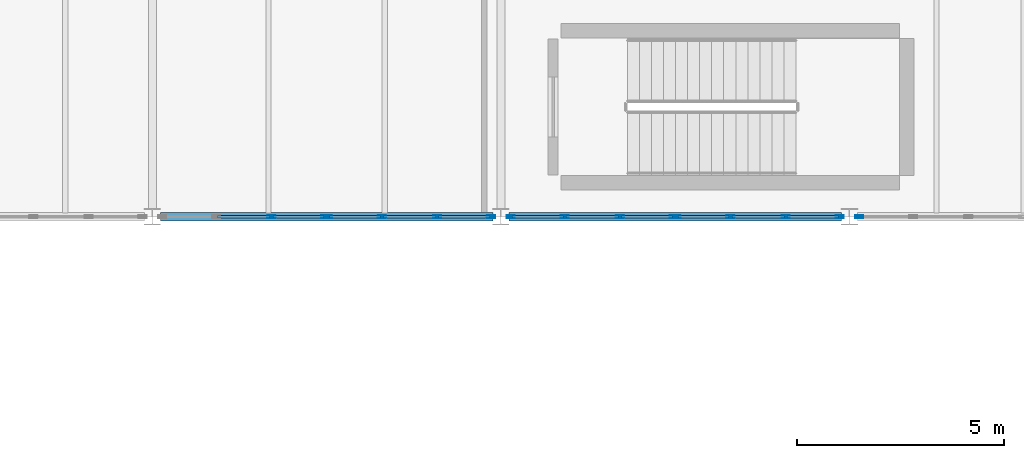
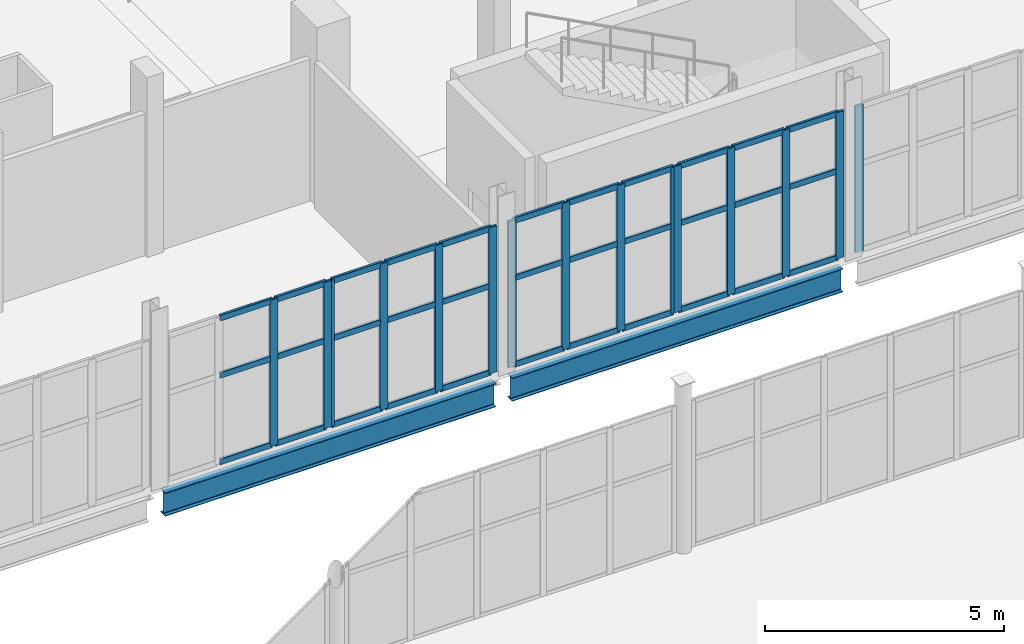
# One storey, part 78 of 172: 48 members, 2 beams, 5 elements without a shape of their own.
"""IFC4 building model written with IfcOpenShell, lengths in metres."""

from ifc_helpers import new_model, si_unit, direction, frame, origin, origin_2d, place, context, subcontext, project, spatial, hollow_rectangle, i_section, extrude, material, material_profile, profile_set, type_object, element, aggregate, save


model = new_model("IFC4")

# Units and contexts
model_context = context("Model", 3, precision=1e-05, world=origin(), true_north=direction((0.0, 1.0)))
body_context = subcontext(model_context, "Body", "Model", "MODEL_VIEW")
ifc_project = project(units=[si_unit("LENGTHUNIT", "METRE"), si_unit("AREAUNIT", "SQUARE_METRE"), si_unit("VOLUMEUNIT", "CUBIC_METRE"), si_unit("PLANEANGLEUNIT", "RADIAN"), si_unit("MASSUNIT", "GRAM", prefix="KILO")], contexts=[model_context])

# Site, building, storey
site_placement = place(None, origin())
site = spatial("IfcSite", under=ifc_project, at=site_placement, CompositionType="ELEMENT")
building_placement = place(site_placement, origin())
building = spatial("IfcBuilding", under=site, at=building_placement, Name="Shengluoqiao Park Theatre", CompositionType="ELEMENT")
storey_placement = place(building_placement, frame((0.0, 0.0, 5.39990234375)))
storey = spatial("IfcBuildingStorey", under=building, at=storey_placement, Name="L01", CompositionType="ELEMENT", Elevation=5.39990234375)

# Curtain wall, members
ifc_material_1 = material(Name="Aluminium 6063-T6", Category="aluminium")
curtain_wall_type = type_object("IfcCurtainWallType", Name="ENV-CW-PROM", PredefinedType="NOTDEFINED", material=ifc_material_1)
curtain_wall_1_placement = place(storey_placement, origin())
curtain_wall_1 = element("IfcCurtainWall", 1, at=curtain_wall_1_placement, inside=storey, type_object=curtain_wall_type, Name="L01 Curtain Wall CW-L01-0055", PredefinedType="NOTDEFINED")
ifc_material_profile_1 = material_profile(ifc_material_1, hollow_rectangle(XDim=0.06494140625, YDim=0.199951171875, WallThickness=0.0048828125, InnerFilletRadius=0.0048828125, OuterFilletRadius=0.010009765625, at=origin_2d()), Name="ALU MULLION 200x65x5")
ifc_profile_set_1 = profile_set([ifc_material_profile_1], Name="Aluminium 6063-T6")
member_type_1 = type_object("IfcMemberType", Name="ENV-MUL-200", PredefinedType="MULLION", material=ifc_profile_set_1)
member_1_placement = place(storey_placement, frame((64.068115234375, 68.39990234375, 0.0), z_axis=(0.0, 0.0, 1.0), x_axis=(0.0, 1.0, 0.0)))
member_1 = element("IfcMember", 2, at=member_1_placement, type_object=member_type_1, Name="CW-04 mullion 3", PredefinedType="MULLION", context=body_context, shape_type="SweptSolid", body=[
    extrude(hollow_rectangle(XDim=0.06494140625, YDim=0.199951171875, WallThickness=0.0048828125, InnerFilletRadius=0.0048828125, OuterFilletRadius=0.010009765625, at=origin_2d()), origin(), (0.0, 0.0, 1.0), 3.7421875),
])
member_2_placement = place(storey_placement, frame((65.367431640625, 68.39990234375, 0.0), z_axis=(0.0, 0.0, 1.0), x_axis=(0.0, 1.0, 0.0)))
member_2 = element("IfcMember", 3, at=member_2_placement, type_object=member_type_1, Name="CW-04 mullion 4", PredefinedType="MULLION", context=body_context, shape_type="SweptSolid", body=[
    extrude(hollow_rectangle(XDim=0.06494140625, YDim=0.199951171875, WallThickness=0.0048828125, InnerFilletRadius=0.0048828125, OuterFilletRadius=0.010009765625, at=origin_2d()), origin(), (0.0, 0.0, 1.0), 3.7421875),
])

curtain_wall_2_placement = place(storey_placement, origin())
curtain_wall_2 = element("IfcCurtainWall", 4, at=curtain_wall_2_placement, inside=storey, type_object=curtain_wall_type, Name="L01 Curtain Wall CW-L01-0056", PredefinedType="NOTDEFINED")
member_3_placement = place(storey_placement, frame((65.4326171875, 68.39990234375, 0.0), z_axis=(0.0, 0.0, 1.0), x_axis=(0.0, 1.0, 0.0)))
member_3 = element("IfcMember", 5, at=member_3_placement, type_object=member_type_1, Name="CW-04 mullion 1", PredefinedType="MULLION", context=body_context, shape_type="SweptSolid", body=[
    extrude(hollow_rectangle(XDim=0.06494140625, YDim=0.199951171875, WallThickness=0.0048828125, InnerFilletRadius=0.0048828125, OuterFilletRadius=0.010009765625, at=origin_2d()), origin(), (0.0, 0.0, 1.0), 3.7421875),
])
member_4_placement = place(storey_placement, frame((66.73193359375, 68.39990234375, 0.0), z_axis=(0.0, 0.0, 1.0), x_axis=(0.0, 1.0, 0.0)))
member_4 = element("IfcMember", 6, at=member_4_placement, type_object=member_type_1, Name="CW-04 mullion 2", PredefinedType="MULLION", context=body_context, shape_type="SweptSolid", body=[
    extrude(hollow_rectangle(XDim=0.06494140625, YDim=0.199951171875, WallThickness=0.0048828125, InnerFilletRadius=0.0048828125, OuterFilletRadius=0.010009765625, at=origin_2d()), origin(), (0.0, 0.0, 1.0), 3.7421875),
])
member_5_placement = place(storey_placement, frame((68.06396484375, 68.39990234375, 0.0), z_axis=(0.0, 0.0, 1.0), x_axis=(0.0, 1.0, 0.0)))
member_5 = element("IfcMember", 7, at=member_5_placement, type_object=member_type_1, Name="CW-04 mullion 3", PredefinedType="MULLION", context=body_context, shape_type="SweptSolid", body=[
    extrude(hollow_rectangle(XDim=0.06494140625, YDim=0.199951171875, WallThickness=0.0048828125, InnerFilletRadius=0.0048828125, OuterFilletRadius=0.010009765625, at=origin_2d()), origin(), (0.0, 0.0, 1.0), 3.7421875),
])
member_6_placement = place(storey_placement, frame((69.363525390625, 68.39990234375, 0.0), z_axis=(0.0, 0.0, 1.0), x_axis=(0.0, 1.0, 0.0)))
member_6 = element("IfcMember", 8, at=member_6_placement, type_object=member_type_1, Name="CW-04 mullion 4", PredefinedType="MULLION", context=body_context, shape_type="SweptSolid", body=[
    extrude(hollow_rectangle(XDim=0.06494140625, YDim=0.199951171875, WallThickness=0.0048828125, InnerFilletRadius=0.0048828125, OuterFilletRadius=0.010009765625, at=origin_2d()), origin(), (0.0, 0.0, 1.0), 3.7421875),
])

curtain_wall_3_placement = place(storey_placement, origin())
curtain_wall_3 = element("IfcCurtainWall", 9, at=curtain_wall_3_placement, inside=storey, type_object=curtain_wall_type, Name="L01 Curtain Wall CW-L01-0057", PredefinedType="NOTDEFINED")
member_7_placement = place(storey_placement, frame((69.83642578125, 68.39990234375, 0.0), z_axis=(0.0, 0.0, 1.0), x_axis=(0.0, 1.0, 0.0)))
member_7 = element("IfcMember", 10, at=member_7_placement, type_object=member_type_1, Name="CW-04 mullion 1", PredefinedType="MULLION", context=body_context, shape_type="SweptSolid", body=[
    extrude(hollow_rectangle(XDim=0.06494140625, YDim=0.199951171875, WallThickness=0.0048828125, InnerFilletRadius=0.0048828125, OuterFilletRadius=0.010009765625, at=origin_2d()), origin(), (0.0, 0.0, 1.0), 3.7421875),
])
member_8_placement = place(storey_placement, frame((71.135986328125, 68.39990234375, 0.0), z_axis=(0.0, 0.0, 1.0), x_axis=(0.0, 1.0, 0.0)))
member_8 = element("IfcMember", 11, at=member_8_placement, type_object=member_type_1, Name="CW-04 mullion 2", PredefinedType="MULLION", context=body_context, shape_type="SweptSolid", body=[
    extrude(hollow_rectangle(XDim=0.06494140625, YDim=0.199951171875, WallThickness=0.0048828125, InnerFilletRadius=0.0048828125, OuterFilletRadius=0.010009765625, at=origin_2d()), origin(), (0.0, 0.0, 1.0), 3.7421875),
])
member_9_placement = place(storey_placement, frame((72.468017578125, 68.39990234375, 0.0), z_axis=(0.0, 0.0, 1.0), x_axis=(0.0, 1.0, 0.0)))
member_9 = element("IfcMember", 12, at=member_9_placement, type_object=member_type_1, Name="CW-04 mullion 3", PredefinedType="MULLION", context=body_context, shape_type="SweptSolid", body=[
    extrude(hollow_rectangle(XDim=0.06494140625, YDim=0.199951171875, WallThickness=0.0048828125, InnerFilletRadius=0.0048828125, OuterFilletRadius=0.010009765625, at=origin_2d()), origin(), (0.0, 0.0, 1.0), 3.7421875),
])
member_10_placement = place(storey_placement, frame((73.767578125, 68.39990234375, 0.0), z_axis=(0.0, 0.0, 1.0), x_axis=(0.0, 1.0, 0.0)))
member_10 = element("IfcMember", 13, at=member_10_placement, type_object=member_type_1, Name="CW-04 mullion 4", PredefinedType="MULLION", context=body_context, shape_type="SweptSolid", body=[
    extrude(hollow_rectangle(XDim=0.06494140625, YDim=0.199951171875, WallThickness=0.0048828125, InnerFilletRadius=0.0048828125, OuterFilletRadius=0.010009765625, at=origin_2d()), origin(), (0.0, 0.0, 1.0), 3.7421875),
])

curtain_wall_4_placement = place(storey_placement, origin())
curtain_wall_4 = element("IfcCurtainWall", 14, at=curtain_wall_4_placement, inside=storey, type_object=curtain_wall_type, Name="L01 Curtain Wall CW-L01-0058", PredefinedType="NOTDEFINED")
member_11_placement = place(storey_placement, frame((73.83251953125, 68.39990234375, 0.0), z_axis=(0.0, 0.0, 1.0), x_axis=(0.0, 1.0, 0.0)))
member_11 = element("IfcMember", 15, at=member_11_placement, type_object=member_type_1, Name="CW-04 mullion 1", PredefinedType="MULLION", context=body_context, shape_type="SweptSolid", body=[
    extrude(hollow_rectangle(XDim=0.06494140625, YDim=0.199951171875, WallThickness=0.0048828125, InnerFilletRadius=0.0048828125, OuterFilletRadius=0.010009765625, at=origin_2d()), origin(), (0.0, 0.0, 1.0), 3.7421875),
])
member_12_placement = place(storey_placement, frame((75.132080078125, 68.39990234375, 0.0), z_axis=(0.0, 0.0, 1.0), x_axis=(0.0, 1.0, 0.0)))
member_12 = element("IfcMember", 16, at=member_12_placement, type_object=member_type_1, Name="CW-04 mullion 2", PredefinedType="MULLION", context=body_context, shape_type="SweptSolid", body=[
    extrude(hollow_rectangle(XDim=0.06494140625, YDim=0.199951171875, WallThickness=0.0048828125, InnerFilletRadius=0.0048828125, OuterFilletRadius=0.010009765625, at=origin_2d()), origin(), (0.0, 0.0, 1.0), 3.7421875),
])
member_13_placement = place(storey_placement, frame((76.464111328125, 68.39990234375, 0.0), z_axis=(0.0, 0.0, 1.0), x_axis=(0.0, 1.0, 0.0)))
member_13 = element("IfcMember", 17, at=member_13_placement, type_object=member_type_1, Name="CW-04 mullion 3", PredefinedType="MULLION", context=body_context, shape_type="SweptSolid", body=[
    extrude(hollow_rectangle(XDim=0.06494140625, YDim=0.199951171875, WallThickness=0.0048828125, InnerFilletRadius=0.0048828125, OuterFilletRadius=0.010009765625, at=origin_2d()), origin(), (0.0, 0.0, 1.0), 3.7421875),
])
member_14_placement = place(storey_placement, frame((77.763427734375, 68.39990234375, 0.0), z_axis=(0.0, 0.0, 1.0), x_axis=(0.0, 1.0, 0.0)))
member_14 = element("IfcMember", 18, at=member_14_placement, type_object=member_type_1, Name="CW-04 mullion 4", PredefinedType="MULLION", context=body_context, shape_type="SweptSolid", body=[
    extrude(hollow_rectangle(XDim=0.06494140625, YDim=0.199951171875, WallThickness=0.0048828125, InnerFilletRadius=0.0048828125, OuterFilletRadius=0.010009765625, at=origin_2d()), origin(), (0.0, 0.0, 1.0), 3.7421875),
])

# Curtain wall, member
curtain_wall_5_placement = place(storey_placement, origin())
curtain_wall_5 = element("IfcCurtainWall", 19, at=curtain_wall_5_placement, inside=storey, type_object=curtain_wall_type, Name="L01 Curtain Wall CW-L01-0059", PredefinedType="NOTDEFINED")
member_15_placement = place(storey_placement, frame((78.236572265625, 68.39990234375, 0.0), z_axis=(0.0, 0.0, 1.0), x_axis=(0.0, 1.0, 0.0)))
member_15 = element("IfcMember", 20, at=member_15_placement, type_object=member_type_1, Name="CW-04 mullion 1", PredefinedType="MULLION", context=body_context, shape_type="SweptSolid", body=[
    extrude(hollow_rectangle(XDim=0.06494140625, YDim=0.199951171875, WallThickness=0.0048828125, InnerFilletRadius=0.0048828125, OuterFilletRadius=0.010009765625, at=origin_2d()), origin(), (0.0, 0.0, 1.0), 3.7421875),
])
aggregate(curtain_wall_5, [member_15])

# Member
ifc_material_profile_2 = material_profile(ifc_material_1, hollow_rectangle(XDim=0.06494140625, YDim=0.14990234375, WallThickness=0.00390625, InnerFilletRadius=0.00390625, OuterFilletRadius=0.008056640625, at=origin_2d()), Name="ALU TRANSOM 150x65x4")
ifc_profile_set_2 = profile_set([ifc_material_profile_2], Name="Aluminium 6063-T6")
member_type_2 = type_object("IfcMemberType", Name="ENV-TRN-150", PredefinedType="USERDEFINED", material=ifc_profile_set_2)
member_16_placement = place(storey_placement, frame((62.7685546875, 68.39990234375, 0.03271484375), z_axis=(1.0, 0.0, 0.0), x_axis=(0.0, 1.0, 0.0)))
member_16 = element("IfcMember", 21, at=member_16_placement, type_object=member_type_2, Name="CW-04 transom 2.1", ObjectType="TRANSOM", PredefinedType="USERDEFINED", context=body_context, shape_type="SweptSolid", body=[
    extrude(hollow_rectangle(XDim=0.06494140625, YDim=0.14990234375, WallThickness=0.00390625, InnerFilletRadius=0.00390625, OuterFilletRadius=0.008056640625, at=origin_2d()), origin(), (0.0, 0.0, 1.0), 1.266845703125),
])

member_17_placement = place(storey_placement, frame((62.7685546875, 68.39990234375, 2.2451171875), z_axis=(1.0, 0.0, 0.0), x_axis=(0.0, 1.0, 0.0)))
member_17 = element("IfcMember", 22, at=member_17_placement, type_object=member_type_2, Name="CW-04 transom 2.2", ObjectType="TRANSOM", PredefinedType="USERDEFINED", context=body_context, shape_type="SweptSolid", body=[
    extrude(hollow_rectangle(XDim=0.06494140625, YDim=0.14990234375, WallThickness=0.00390625, InnerFilletRadius=0.00390625, OuterFilletRadius=0.008056640625, at=origin_2d()), origin(), (0.0, 0.0, 1.0), 1.266845703125),
])

member_18_placement = place(storey_placement, frame((62.7685546875, 68.39990234375, 3.709716796875), z_axis=(1.0, 0.0, 0.0), x_axis=(0.0, 1.0, 0.0)))
member_18 = element("IfcMember", 23, at=member_18_placement, type_object=member_type_2, Name="CW-04 transom 2.3", ObjectType="TRANSOM", PredefinedType="USERDEFINED", context=body_context, shape_type="SweptSolid", body=[
    extrude(hollow_rectangle(XDim=0.06494140625, YDim=0.14990234375, WallThickness=0.00390625, InnerFilletRadius=0.00390625, OuterFilletRadius=0.008056640625, at=origin_2d()), origin(), (0.0, 0.0, 1.0), 1.266845703125),
])

member_19_placement = place(storey_placement, frame((64.1005859375, 68.39990234375, 0.03271484375), z_axis=(1.0, 0.0, 0.0), x_axis=(0.0, 1.0, 0.0)))
member_19 = element("IfcMember", 24, at=member_19_placement, type_object=member_type_2, Name="CW-04 transom 3.1", ObjectType="TRANSOM", PredefinedType="USERDEFINED", context=body_context, shape_type="SweptSolid", body=[
    extrude(hollow_rectangle(XDim=0.06494140625, YDim=0.14990234375, WallThickness=0.00390625, InnerFilletRadius=0.00390625, OuterFilletRadius=0.008056640625, at=origin_2d()), origin(), (0.0, 0.0, 1.0), 1.234375),
])

member_20_placement = place(storey_placement, frame((64.1005859375, 68.39990234375, 2.2451171875), z_axis=(1.0, 0.0, 0.0), x_axis=(0.0, 1.0, 0.0)))
member_20 = element("IfcMember", 25, at=member_20_placement, type_object=member_type_2, Name="CW-04 transom 3.2", ObjectType="TRANSOM", PredefinedType="USERDEFINED", context=body_context, shape_type="SweptSolid", body=[
    extrude(hollow_rectangle(XDim=0.06494140625, YDim=0.14990234375, WallThickness=0.00390625, InnerFilletRadius=0.00390625, OuterFilletRadius=0.008056640625, at=origin_2d()), origin(), (0.0, 0.0, 1.0), 1.234375),
])

member_21_placement = place(storey_placement, frame((64.1005859375, 68.39990234375, 3.709716796875), z_axis=(1.0, 0.0, 0.0), x_axis=(0.0, 1.0, 0.0)))
member_21 = element("IfcMember", 26, at=member_21_placement, type_object=member_type_2, Name="CW-04 transom 3.3", ObjectType="TRANSOM", PredefinedType="USERDEFINED", context=body_context, shape_type="SweptSolid", body=[
    extrude(hollow_rectangle(XDim=0.06494140625, YDim=0.14990234375, WallThickness=0.00390625, InnerFilletRadius=0.00390625, OuterFilletRadius=0.008056640625, at=origin_2d()), origin(), (0.0, 0.0, 1.0), 1.234375),
])

aggregate(curtain_wall_1, [member_1, member_2, member_16, member_17, member_18, member_19, member_20, member_21])

member_22_placement = place(storey_placement, frame((65.465087890625, 68.39990234375, 0.03271484375), z_axis=(1.0, 0.0, 0.0), x_axis=(0.0, 1.0, 0.0)))
member_22 = element("IfcMember", 27, at=member_22_placement, type_object=member_type_2, Name="CW-04 transom 1.1", ObjectType="TRANSOM", PredefinedType="USERDEFINED", context=body_context, shape_type="SweptSolid", body=[
    extrude(hollow_rectangle(XDim=0.06494140625, YDim=0.14990234375, WallThickness=0.00390625, InnerFilletRadius=0.00390625, OuterFilletRadius=0.008056640625, at=origin_2d()), origin(), (0.0, 0.0, 1.0), 1.234375),
])

member_23_placement = place(storey_placement, frame((65.465087890625, 68.39990234375, 2.2451171875), z_axis=(1.0, 0.0, 0.0), x_axis=(0.0, 1.0, 0.0)))
member_23 = element("IfcMember", 28, at=member_23_placement, type_object=member_type_2, Name="CW-04 transom 1.2", ObjectType="TRANSOM", PredefinedType="USERDEFINED", context=body_context, shape_type="SweptSolid", body=[
    extrude(hollow_rectangle(XDim=0.06494140625, YDim=0.14990234375, WallThickness=0.00390625, InnerFilletRadius=0.00390625, OuterFilletRadius=0.008056640625, at=origin_2d()), origin(), (0.0, 0.0, 1.0), 1.234375),
])

member_24_placement = place(storey_placement, frame((65.465087890625, 68.39990234375, 3.709716796875), z_axis=(1.0, 0.0, 0.0), x_axis=(0.0, 1.0, 0.0)))
member_24 = element("IfcMember", 29, at=member_24_placement, type_object=member_type_2, Name="CW-04 transom 1.3", ObjectType="TRANSOM", PredefinedType="USERDEFINED", context=body_context, shape_type="SweptSolid", body=[
    extrude(hollow_rectangle(XDim=0.06494140625, YDim=0.14990234375, WallThickness=0.00390625, InnerFilletRadius=0.00390625, OuterFilletRadius=0.008056640625, at=origin_2d()), origin(), (0.0, 0.0, 1.0), 1.234375),
])

member_25_placement = place(storey_placement, frame((66.764404296875, 68.39990234375, 0.03271484375), z_axis=(1.0, 0.0, 0.0), x_axis=(0.0, 1.0, 0.0)))
member_25 = element("IfcMember", 30, at=member_25_placement, type_object=member_type_2, Name="CW-04 transom 2.1", ObjectType="TRANSOM", PredefinedType="USERDEFINED", context=body_context, shape_type="SweptSolid", body=[
    extrude(hollow_rectangle(XDim=0.06494140625, YDim=0.14990234375, WallThickness=0.00390625, InnerFilletRadius=0.00390625, OuterFilletRadius=0.008056640625, at=origin_2d()), origin(), (0.0, 0.0, 1.0), 1.26708984375),
])

member_26_placement = place(storey_placement, frame((66.764404296875, 68.39990234375, 2.2451171875), z_axis=(1.0, 0.0, 0.0), x_axis=(0.0, 1.0, 0.0)))
member_26 = element("IfcMember", 31, at=member_26_placement, type_object=member_type_2, Name="CW-04 transom 2.2", ObjectType="TRANSOM", PredefinedType="USERDEFINED", context=body_context, shape_type="SweptSolid", body=[
    extrude(hollow_rectangle(XDim=0.06494140625, YDim=0.14990234375, WallThickness=0.00390625, InnerFilletRadius=0.00390625, OuterFilletRadius=0.008056640625, at=origin_2d()), origin(), (0.0, 0.0, 1.0), 1.26708984375),
])

member_27_placement = place(storey_placement, frame((66.764404296875, 68.39990234375, 3.709716796875), z_axis=(1.0, 0.0, 0.0), x_axis=(0.0, 1.0, 0.0)))
member_27 = element("IfcMember", 32, at=member_27_placement, type_object=member_type_2, Name="CW-04 transom 2.3", ObjectType="TRANSOM", PredefinedType="USERDEFINED", context=body_context, shape_type="SweptSolid", body=[
    extrude(hollow_rectangle(XDim=0.06494140625, YDim=0.14990234375, WallThickness=0.00390625, InnerFilletRadius=0.00390625, OuterFilletRadius=0.008056640625, at=origin_2d()), origin(), (0.0, 0.0, 1.0), 1.26708984375),
])

member_28_placement = place(storey_placement, frame((68.096435546875, 68.39990234375, 0.03271484375), z_axis=(1.0, 0.0, 0.0), x_axis=(0.0, 1.0, 0.0)))
member_28 = element("IfcMember", 33, at=member_28_placement, type_object=member_type_2, Name="CW-04 transom 3.1", ObjectType="TRANSOM", PredefinedType="USERDEFINED", context=body_context, shape_type="SweptSolid", body=[
    extrude(hollow_rectangle(XDim=0.06494140625, YDim=0.14990234375, WallThickness=0.00390625, InnerFilletRadius=0.00390625, OuterFilletRadius=0.008056640625, at=origin_2d()), origin(), (0.0, 0.0, 1.0), 1.234619140625),
])

member_29_placement = place(storey_placement, frame((68.096435546875, 68.39990234375, 2.2451171875), z_axis=(1.0, 0.0, 0.0), x_axis=(0.0, 1.0, 0.0)))
member_29 = element("IfcMember", 34, at=member_29_placement, type_object=member_type_2, Name="CW-04 transom 3.2", ObjectType="TRANSOM", PredefinedType="USERDEFINED", context=body_context, shape_type="SweptSolid", body=[
    extrude(hollow_rectangle(XDim=0.06494140625, YDim=0.14990234375, WallThickness=0.00390625, InnerFilletRadius=0.00390625, OuterFilletRadius=0.008056640625, at=origin_2d()), origin(), (0.0, 0.0, 1.0), 1.234619140625),
])

member_30_placement = place(storey_placement, frame((68.096435546875, 68.39990234375, 3.709716796875), z_axis=(1.0, 0.0, 0.0), x_axis=(0.0, 1.0, 0.0)))
member_30 = element("IfcMember", 35, at=member_30_placement, type_object=member_type_2, Name="CW-04 transom 3.3", ObjectType="TRANSOM", PredefinedType="USERDEFINED", context=body_context, shape_type="SweptSolid", body=[
    extrude(hollow_rectangle(XDim=0.06494140625, YDim=0.14990234375, WallThickness=0.00390625, InnerFilletRadius=0.00390625, OuterFilletRadius=0.008056640625, at=origin_2d()), origin(), (0.0, 0.0, 1.0), 1.234619140625),
])

aggregate(curtain_wall_2, [member_3, member_4, member_5, member_6, member_22, member_23, member_24, member_25, member_26, member_27, member_28, member_29, member_30])

member_31_placement = place(storey_placement, frame((69.868896484375, 68.39990234375, 0.03271484375), z_axis=(1.0, 0.0, 0.0), x_axis=(0.0, 1.0, 0.0)))
member_31 = element("IfcMember", 36, at=member_31_placement, type_object=member_type_2, Name="CW-04 transom 1.1", ObjectType="TRANSOM", PredefinedType="USERDEFINED", context=body_context, shape_type="SweptSolid", body=[
    extrude(hollow_rectangle(XDim=0.06494140625, YDim=0.14990234375, WallThickness=0.00390625, InnerFilletRadius=0.00390625, OuterFilletRadius=0.008056640625, at=origin_2d()), origin(), (0.0, 0.0, 1.0), 1.234619140625),
])

member_32_placement = place(storey_placement, frame((69.868896484375, 68.39990234375, 2.2451171875), z_axis=(1.0, 0.0, 0.0), x_axis=(0.0, 1.0, 0.0)))
member_32 = element("IfcMember", 37, at=member_32_placement, type_object=member_type_2, Name="CW-04 transom 1.2", ObjectType="TRANSOM", PredefinedType="USERDEFINED", context=body_context, shape_type="SweptSolid", body=[
    extrude(hollow_rectangle(XDim=0.06494140625, YDim=0.14990234375, WallThickness=0.00390625, InnerFilletRadius=0.00390625, OuterFilletRadius=0.008056640625, at=origin_2d()), origin(), (0.0, 0.0, 1.0), 1.234619140625),
])

member_33_placement = place(storey_placement, frame((69.868896484375, 68.39990234375, 3.709716796875), z_axis=(1.0, 0.0, 0.0), x_axis=(0.0, 1.0, 0.0)))
member_33 = element("IfcMember", 38, at=member_33_placement, type_object=member_type_2, Name="CW-04 transom 1.3", ObjectType="TRANSOM", PredefinedType="USERDEFINED", context=body_context, shape_type="SweptSolid", body=[
    extrude(hollow_rectangle(XDim=0.06494140625, YDim=0.14990234375, WallThickness=0.00390625, InnerFilletRadius=0.00390625, OuterFilletRadius=0.008056640625, at=origin_2d()), origin(), (0.0, 0.0, 1.0), 1.234619140625),
])

member_34_placement = place(storey_placement, frame((71.16845703125, 68.39990234375, 0.03271484375), z_axis=(1.0, 0.0, 0.0), x_axis=(0.0, 1.0, 0.0)))
member_34 = element("IfcMember", 39, at=member_34_placement, type_object=member_type_2, Name="CW-04 transom 2.1", ObjectType="TRANSOM", PredefinedType="USERDEFINED", context=body_context, shape_type="SweptSolid", body=[
    extrude(hollow_rectangle(XDim=0.06494140625, YDim=0.14990234375, WallThickness=0.00390625, InnerFilletRadius=0.00390625, OuterFilletRadius=0.008056640625, at=origin_2d()), origin(), (0.0, 0.0, 1.0), 1.26708984375),
])

member_35_placement = place(storey_placement, frame((71.16845703125, 68.39990234375, 2.2451171875), z_axis=(1.0, 0.0, 0.0), x_axis=(0.0, 1.0, 0.0)))
member_35 = element("IfcMember", 40, at=member_35_placement, type_object=member_type_2, Name="CW-04 transom 2.2", ObjectType="TRANSOM", PredefinedType="USERDEFINED", context=body_context, shape_type="SweptSolid", body=[
    extrude(hollow_rectangle(XDim=0.06494140625, YDim=0.14990234375, WallThickness=0.00390625, InnerFilletRadius=0.00390625, OuterFilletRadius=0.008056640625, at=origin_2d()), origin(), (0.0, 0.0, 1.0), 1.26708984375),
])

member_36_placement = place(storey_placement, frame((71.16845703125, 68.39990234375, 3.709716796875), z_axis=(1.0, 0.0, 0.0), x_axis=(0.0, 1.0, 0.0)))
member_36 = element("IfcMember", 41, at=member_36_placement, type_object=member_type_2, Name="CW-04 transom 2.3", ObjectType="TRANSOM", PredefinedType="USERDEFINED", context=body_context, shape_type="SweptSolid", body=[
    extrude(hollow_rectangle(XDim=0.06494140625, YDim=0.14990234375, WallThickness=0.00390625, InnerFilletRadius=0.00390625, OuterFilletRadius=0.008056640625, at=origin_2d()), origin(), (0.0, 0.0, 1.0), 1.26708984375),
])

member_37_placement = place(storey_placement, frame((72.50048828125, 68.39990234375, 0.03271484375), z_axis=(1.0, 0.0, 0.0), x_axis=(0.0, 1.0, 0.0)))
member_37 = element("IfcMember", 42, at=member_37_placement, type_object=member_type_2, Name="CW-04 transom 3.1", ObjectType="TRANSOM", PredefinedType="USERDEFINED", context=body_context, shape_type="SweptSolid", body=[
    extrude(hollow_rectangle(XDim=0.06494140625, YDim=0.14990234375, WallThickness=0.00390625, InnerFilletRadius=0.00390625, OuterFilletRadius=0.008056640625, at=origin_2d()), origin(), (0.0, 0.0, 1.0), 1.234619140625),
])

member_38_placement = place(storey_placement, frame((72.50048828125, 68.39990234375, 2.2451171875), z_axis=(1.0, 0.0, 0.0), x_axis=(0.0, 1.0, 0.0)))
member_38 = element("IfcMember", 43, at=member_38_placement, type_object=member_type_2, Name="CW-04 transom 3.2", ObjectType="TRANSOM", PredefinedType="USERDEFINED", context=body_context, shape_type="SweptSolid", body=[
    extrude(hollow_rectangle(XDim=0.06494140625, YDim=0.14990234375, WallThickness=0.00390625, InnerFilletRadius=0.00390625, OuterFilletRadius=0.008056640625, at=origin_2d()), origin(), (0.0, 0.0, 1.0), 1.234619140625),
])

member_39_placement = place(storey_placement, frame((72.50048828125, 68.39990234375, 3.709716796875), z_axis=(1.0, 0.0, 0.0), x_axis=(0.0, 1.0, 0.0)))
member_39 = element("IfcMember", 44, at=member_39_placement, type_object=member_type_2, Name="CW-04 transom 3.3", ObjectType="TRANSOM", PredefinedType="USERDEFINED", context=body_context, shape_type="SweptSolid", body=[
    extrude(hollow_rectangle(XDim=0.06494140625, YDim=0.14990234375, WallThickness=0.00390625, InnerFilletRadius=0.00390625, OuterFilletRadius=0.008056640625, at=origin_2d()), origin(), (0.0, 0.0, 1.0), 1.234619140625),
])

aggregate(curtain_wall_3, [member_7, member_8, member_9, member_10, member_31, member_32, member_33, member_34, member_35, member_36, member_37, member_38, member_39])

member_40_placement = place(storey_placement, frame((73.864990234375, 68.39990234375, 0.03271484375), z_axis=(1.0, 0.0, 0.0), x_axis=(0.0, 1.0, 0.0)))
member_40 = element("IfcMember", 45, at=member_40_placement, type_object=member_type_2, Name="CW-04 transom 1.1", ObjectType="TRANSOM", PredefinedType="USERDEFINED", context=body_context, shape_type="SweptSolid", body=[
    extrude(hollow_rectangle(XDim=0.06494140625, YDim=0.14990234375, WallThickness=0.00390625, InnerFilletRadius=0.00390625, OuterFilletRadius=0.008056640625, at=origin_2d()), origin(), (0.0, 0.0, 1.0), 1.234619140625),
])

member_41_placement = place(storey_placement, frame((73.864990234375, 68.39990234375, 2.2451171875), z_axis=(1.0, 0.0, 0.0), x_axis=(0.0, 1.0, 0.0)))
member_41 = element("IfcMember", 46, at=member_41_placement, type_object=member_type_2, Name="CW-04 transom 1.2", ObjectType="TRANSOM", PredefinedType="USERDEFINED", context=body_context, shape_type="SweptSolid", body=[
    extrude(hollow_rectangle(XDim=0.06494140625, YDim=0.14990234375, WallThickness=0.00390625, InnerFilletRadius=0.00390625, OuterFilletRadius=0.008056640625, at=origin_2d()), origin(), (0.0, 0.0, 1.0), 1.234619140625),
])

member_42_placement = place(storey_placement, frame((73.864990234375, 68.39990234375, 3.709716796875), z_axis=(1.0, 0.0, 0.0), x_axis=(0.0, 1.0, 0.0)))
member_42 = element("IfcMember", 47, at=member_42_placement, type_object=member_type_2, Name="CW-04 transom 1.3", ObjectType="TRANSOM", PredefinedType="USERDEFINED", context=body_context, shape_type="SweptSolid", body=[
    extrude(hollow_rectangle(XDim=0.06494140625, YDim=0.14990234375, WallThickness=0.00390625, InnerFilletRadius=0.00390625, OuterFilletRadius=0.008056640625, at=origin_2d()), origin(), (0.0, 0.0, 1.0), 1.234619140625),
])

member_43_placement = place(storey_placement, frame((75.16455078125, 68.39990234375, 0.03271484375), z_axis=(1.0, 0.0, 0.0), x_axis=(0.0, 1.0, 0.0)))
member_43 = element("IfcMember", 48, at=member_43_placement, type_object=member_type_2, Name="CW-04 transom 2.1", ObjectType="TRANSOM", PredefinedType="USERDEFINED", context=body_context, shape_type="SweptSolid", body=[
    extrude(hollow_rectangle(XDim=0.06494140625, YDim=0.14990234375, WallThickness=0.00390625, InnerFilletRadius=0.00390625, OuterFilletRadius=0.008056640625, at=origin_2d()), origin(), (0.0, 0.0, 1.0), 1.266845703125),
])

member_44_placement = place(storey_placement, frame((75.16455078125, 68.39990234375, 2.2451171875), z_axis=(1.0, 0.0, 0.0), x_axis=(0.0, 1.0, 0.0)))
member_44 = element("IfcMember", 49, at=member_44_placement, type_object=member_type_2, Name="CW-04 transom 2.2", ObjectType="TRANSOM", PredefinedType="USERDEFINED", context=body_context, shape_type="SweptSolid", body=[
    extrude(hollow_rectangle(XDim=0.06494140625, YDim=0.14990234375, WallThickness=0.00390625, InnerFilletRadius=0.00390625, OuterFilletRadius=0.008056640625, at=origin_2d()), origin(), (0.0, 0.0, 1.0), 1.266845703125),
])

member_45_placement = place(storey_placement, frame((75.16455078125, 68.39990234375, 3.709716796875), z_axis=(1.0, 0.0, 0.0), x_axis=(0.0, 1.0, 0.0)))
member_45 = element("IfcMember", 50, at=member_45_placement, type_object=member_type_2, Name="CW-04 transom 2.3", ObjectType="TRANSOM", PredefinedType="USERDEFINED", context=body_context, shape_type="SweptSolid", body=[
    extrude(hollow_rectangle(XDim=0.06494140625, YDim=0.14990234375, WallThickness=0.00390625, InnerFilletRadius=0.00390625, OuterFilletRadius=0.008056640625, at=origin_2d()), origin(), (0.0, 0.0, 1.0), 1.266845703125),
])

member_46_placement = place(storey_placement, frame((76.49658203125, 68.39990234375, 0.03271484375), z_axis=(1.0, 0.0, 0.0), x_axis=(0.0, 1.0, 0.0)))
member_46 = element("IfcMember", 51, at=member_46_placement, type_object=member_type_2, Name="CW-04 transom 3.1", ObjectType="TRANSOM", PredefinedType="USERDEFINED", context=body_context, shape_type="SweptSolid", body=[
    extrude(hollow_rectangle(XDim=0.06494140625, YDim=0.14990234375, WallThickness=0.00390625, InnerFilletRadius=0.00390625, OuterFilletRadius=0.008056640625, at=origin_2d()), origin(), (0.0, 0.0, 1.0), 1.234375),
])

member_47_placement = place(storey_placement, frame((76.49658203125, 68.39990234375, 2.2451171875), z_axis=(1.0, 0.0, 0.0), x_axis=(0.0, 1.0, 0.0)))
member_47 = element("IfcMember", 52, at=member_47_placement, type_object=member_type_2, Name="CW-04 transom 3.2", ObjectType="TRANSOM", PredefinedType="USERDEFINED", context=body_context, shape_type="SweptSolid", body=[
    extrude(hollow_rectangle(XDim=0.06494140625, YDim=0.14990234375, WallThickness=0.00390625, InnerFilletRadius=0.00390625, OuterFilletRadius=0.008056640625, at=origin_2d()), origin(), (0.0, 0.0, 1.0), 1.234375),
])

member_48_placement = place(storey_placement, frame((76.49658203125, 68.39990234375, 3.709716796875), z_axis=(1.0, 0.0, 0.0), x_axis=(0.0, 1.0, 0.0)))
member_48 = element("IfcMember", 53, at=member_48_placement, type_object=member_type_2, Name="CW-04 transom 3.3", ObjectType="TRANSOM", PredefinedType="USERDEFINED", context=body_context, shape_type="SweptSolid", body=[
    extrude(hollow_rectangle(XDim=0.06494140625, YDim=0.14990234375, WallThickness=0.00390625, InnerFilletRadius=0.00390625, OuterFilletRadius=0.008056640625, at=origin_2d()), origin(), (0.0, 0.0, 1.0), 1.234375),
])

aggregate(curtain_wall_4, [member_11, member_12, member_13, member_14, member_40, member_41, member_42, member_43, member_44, member_45, member_46, member_47, member_48])

# Beams
ifc_material_2 = material(Name="Steel Q355", Category="steel")
ifc_material_profile_3 = material_profile(ifc_material_2, i_section(OverallWidth=0.198974609375, OverallDepth=0.595947265625, WebThickness=0.010009765625, FlangeThickness=0.014892578125, FilletRadius=0.02001953125, at=origin_2d()), Name="HN 596x199x10x15")
ifc_profile_set_3 = profile_set([ifc_material_profile_3], Name="Steel Q355")
beam_type = type_object("IfcBeamType", Name="STR-BM-SP-HN596", PredefinedType="SPANDREL", material=ifc_profile_set_3)
for number, where, z_axis, x_axis, name in (
    (54, (61.396484375, 68.39990234375, -0.537841796875), (1.0, 0.0, 0.0), (0.0, 1.0, 0.0), "L01 Primary Girder 00499"),
    (55, (69.79638671875, 68.39990234375, -0.537841796875), (1.0, 0.0, 0.0), (0.0, 1.0, 0.0), "L01 Primary Girder 00500"),
):
    element("IfcBeam", number, at=place(storey_placement, frame(where, z_axis=z_axis, x_axis=x_axis)), inside=storey, type_object=beam_type, Name=name, PredefinedType="SPANDREL", context=body_context, shape_type="SweptSolid", body=[
        extrude(i_section(OverallWidth=0.198974609375, OverallDepth=0.595947265625, WebThickness=0.010009765625, FlangeThickness=0.014892578125, FilletRadius=0.02001953125, at=origin_2d()), origin(), (0.0, 0.0, 1.0), 8.007080078125),
    ])

save(model, "model.ifc")
